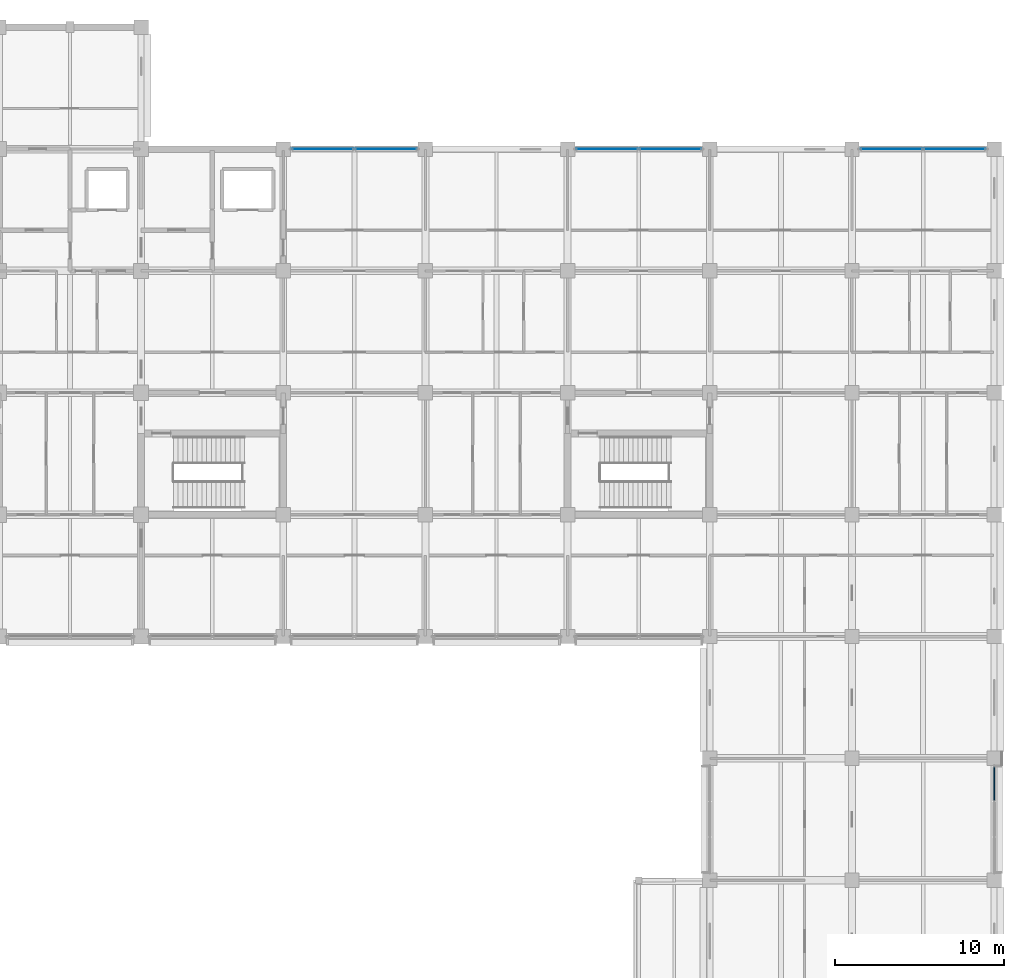
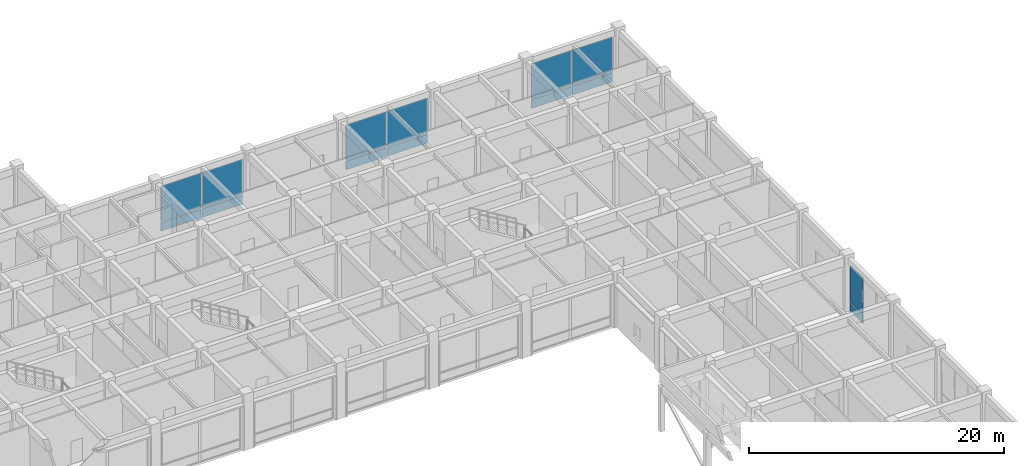
# One storey, part 33 of 68: 14 plates, 4 elements without a shape of their own.
"""IFC4 building model written with IfcOpenShell, lengths in metres."""

from ifc_helpers import new_model, si_unit, direction, frame, origin, origin_2d, place, context, subcontext, project, spatial, rectangle, extrude, material, layer, layer_set, type_object, element, aggregate, save


model = new_model("IFC4")

# Units and contexts
model_context = context("Model", 3, precision=1e-05, world=origin(), true_north=direction((0.0, 1.0)))
body_context = subcontext(model_context, "Body", "Model", "MODEL_VIEW")
ifc_project = project(units=[si_unit("LENGTHUNIT", "METRE"), si_unit("AREAUNIT", "SQUARE_METRE"), si_unit("VOLUMEUNIT", "CUBIC_METRE"), si_unit("PLANEANGLEUNIT", "RADIAN"), si_unit("MASSUNIT", "GRAM", prefix="KILO")], contexts=[model_context])

# Site, building, storey
site_placement = place(None, origin())
site = spatial("IfcSite", under=ifc_project, at=site_placement, CompositionType="ELEMENT")
building_placement = place(site_placement, origin())
building = spatial("IfcBuilding", under=site, at=building_placement, Name="Chengyuan Square Courthouse", CompositionType="ELEMENT")
storey_placement = place(building_placement, frame((0.0, 0.0, 5.39990234375)))
storey = spatial("IfcBuildingStorey", under=building, at=storey_placement, Name="L02", CompositionType="ELEMENT", Elevation=5.39990234375)

# Curtain wall, plates
ifc_material_1 = material(Name="Unitised Aluminium and Triple Low-E Glass", Category="aluminium")
ifc_layer_1 = layer(ifc_material_1, 0.219970703125)
ifc_layer_set_1 = layer_set([ifc_layer_1], Name="Unitised Aluminium and Triple Low-E Glass")
curtain_wall_type_1 = type_object("IfcCurtainWallType", Name="CW-04", PredefinedType="USERDEFINED", material=ifc_layer_set_1)
curtain_wall_1_placement = place(storey_placement, origin())
curtain_wall_1 = element("IfcCurtainWall", 1, at=curtain_wall_1_placement, inside=storey, type_object=curtain_wall_type_1, Name="Unitised Curtain Wall CW-L02-073", ObjectType="UNITISED CURTAIN WALL", PredefinedType="USERDEFINED")
ifc_material_2 = material(Name="Triple Low-E Insulating Glass", Category="glass")
ifc_layer_2 = layer(ifc_material_2, 0.052001953125)
ifc_layer_set_2 = layer_set([ifc_layer_2], Name="Triple Low-E Insulating Glass")
plate_type_1 = type_object("IfcPlateType", Name="CWP-04", PredefinedType="CURTAIN_PANEL", material=ifc_layer_set_2)
plate_1_placement = place(storey_placement, frame((128.33251953125, 108.0, 0.080078125), z_axis=(0.0, 0.0, 1.0), x_axis=(1.0, 0.0, 0.0)))
plate_1 = element("IfcPlate", 2, at=plate_1_placement, type_object=plate_type_1, Name="CW-04 panel 1.1", PredefinedType="CURTAIN_PANEL", context=body_context, shape_type="SweptSolid", body=[
    extrude(rectangle(XDim=3.655029296875, YDim=0.052001953125, at=origin_2d()), origin(), (0.0, 0.0, 1.0), 0.830078125),
])
plate_2_placement = place(storey_placement, frame((128.33251953125, 108.0, 0.990234375), z_axis=(0.0, 0.0, 1.0), x_axis=(1.0, 0.0, 0.0)))
plate_2 = element("IfcPlate", 3, at=plate_2_placement, type_object=plate_type_1, Name="CW-04 panel 1.2", PredefinedType="CURTAIN_PANEL", context=body_context, shape_type="SweptSolid", body=[
    extrude(rectangle(XDim=3.655029296875, YDim=0.052001953125, at=origin_2d()), origin(), (0.0, 0.0, 1.0), 3.39990234375),
])
plate_3_placement = place(storey_placement, frame((132.0673828125, 108.0, 0.080078125), z_axis=(0.0, 0.0, 1.0), x_axis=(1.0, 0.0, 0.0)))
plate_3 = element("IfcPlate", 4, at=plate_3_placement, type_object=plate_type_1, Name="CW-04 panel 2.1", PredefinedType="CURTAIN_PANEL", context=body_context, shape_type="SweptSolid", body=[
    extrude(rectangle(XDim=3.655029296875, YDim=0.052001953125, at=origin_2d()), origin(), (0.0, 0.0, 1.0), 0.830078125),
])
plate_4_placement = place(storey_placement, frame((132.0673828125, 108.0, 0.990234375), z_axis=(0.0, 0.0, 1.0), x_axis=(1.0, 0.0, 0.0)))
plate_4 = element("IfcPlate", 5, at=plate_4_placement, type_object=plate_type_1, Name="CW-04 panel 2.2", PredefinedType="CURTAIN_PANEL", context=body_context, shape_type="SweptSolid", body=[
    extrude(rectangle(XDim=3.655029296875, YDim=0.052001953125, at=origin_2d()), origin(), (0.0, 0.0, 1.0), 3.39990234375),
])
aggregate(curtain_wall_1, [plate_1, plate_2, plate_3, plate_4])

curtain_wall_2_placement = place(storey_placement, origin())
curtain_wall_2 = element("IfcCurtainWall", 6, at=curtain_wall_2_placement, inside=storey, type_object=curtain_wall_type_1, Name="Unitised Curtain Wall CW-L02-076", ObjectType="UNITISED CURTAIN WALL", PredefinedType="USERDEFINED")
plate_5_placement = place(storey_placement, frame((145.132568359375, 108.0, 0.080078125), z_axis=(0.0, 0.0, 1.0), x_axis=(1.0, 0.0, 0.0)))
plate_5 = element("IfcPlate", 7, at=plate_5_placement, type_object=plate_type_1, Name="CW-04 panel 1.1", PredefinedType="CURTAIN_PANEL", context=body_context, shape_type="SweptSolid", body=[
    extrude(rectangle(XDim=3.655029296875, YDim=0.052001953125, at=origin_2d()), origin(), (0.0, 0.0, 1.0), 0.830078125),
])
plate_6_placement = place(storey_placement, frame((145.132568359375, 108.0, 0.990234375), z_axis=(0.0, 0.0, 1.0), x_axis=(1.0, 0.0, 0.0)))
plate_6 = element("IfcPlate", 8, at=plate_6_placement, type_object=plate_type_1, Name="CW-04 panel 1.2", PredefinedType="CURTAIN_PANEL", context=body_context, shape_type="SweptSolid", body=[
    extrude(rectangle(XDim=3.655029296875, YDim=0.052001953125, at=origin_2d()), origin(), (0.0, 0.0, 1.0), 3.39990234375),
])
plate_7_placement = place(storey_placement, frame((148.867431640625, 108.0, 0.080078125), z_axis=(0.0, 0.0, 1.0), x_axis=(1.0, 0.0, 0.0)))
plate_7 = element("IfcPlate", 9, at=plate_7_placement, type_object=plate_type_1, Name="CW-04 panel 2.1", PredefinedType="CURTAIN_PANEL", context=body_context, shape_type="SweptSolid", body=[
    extrude(rectangle(XDim=3.655029296875, YDim=0.052001953125, at=origin_2d()), origin(), (0.0, 0.0, 1.0), 0.830078125),
])
plate_8_placement = place(storey_placement, frame((148.867431640625, 108.0, 0.990234375), z_axis=(0.0, 0.0, 1.0), x_axis=(1.0, 0.0, 0.0)))
plate_8 = element("IfcPlate", 10, at=plate_8_placement, type_object=plate_type_1, Name="CW-04 panel 2.2", PredefinedType="CURTAIN_PANEL", context=body_context, shape_type="SweptSolid", body=[
    extrude(rectangle(XDim=3.655029296875, YDim=0.052001953125, at=origin_2d()), origin(), (0.0, 0.0, 1.0), 3.39990234375),
])
aggregate(curtain_wall_2, [plate_5, plate_6, plate_7, plate_8])

curtain_wall_3_placement = place(storey_placement, origin())
curtain_wall_3 = element("IfcCurtainWall", 11, at=curtain_wall_3_placement, inside=storey, type_object=curtain_wall_type_1, Name="Unitised Curtain Wall CW-L02-088", ObjectType="UNITISED CURTAIN WALL", PredefinedType="USERDEFINED")
plate_9_placement = place(storey_placement, frame((161.9326171875, 108.0, 0.080078125), z_axis=(0.0, 0.0, 1.0), x_axis=(1.0, 0.0, 0.0)))
plate_9 = element("IfcPlate", 12, at=plate_9_placement, type_object=plate_type_1, Name="CW-04 panel 1.1", PredefinedType="CURTAIN_PANEL", context=body_context, shape_type="SweptSolid", body=[
    extrude(rectangle(XDim=3.655029296875, YDim=0.052001953125, at=origin_2d()), origin(), (0.0, 0.0, 1.0), 0.830078125),
])
plate_10_placement = place(storey_placement, frame((161.9326171875, 108.0, 0.990234375), z_axis=(0.0, 0.0, 1.0), x_axis=(1.0, 0.0, 0.0)))
plate_10 = element("IfcPlate", 13, at=plate_10_placement, type_object=plate_type_1, Name="CW-04 panel 1.2", PredefinedType="CURTAIN_PANEL", context=body_context, shape_type="SweptSolid", body=[
    extrude(rectangle(XDim=3.655029296875, YDim=0.052001953125, at=origin_2d()), origin(), (0.0, 0.0, 1.0), 3.39990234375),
])
plate_11_placement = place(storey_placement, frame((165.66748046875, 108.0, 0.080078125), z_axis=(0.0, 0.0, 1.0), x_axis=(1.0, 0.0, 0.0)))
plate_11 = element("IfcPlate", 14, at=plate_11_placement, type_object=plate_type_1, Name="CW-04 panel 2.1", PredefinedType="CURTAIN_PANEL", context=body_context, shape_type="SweptSolid", body=[
    extrude(rectangle(XDim=3.655029296875, YDim=0.052001953125, at=origin_2d()), origin(), (0.0, 0.0, 1.0), 0.830078125),
])
plate_12_placement = place(storey_placement, frame((165.66748046875, 108.0, 0.990234375), z_axis=(0.0, 0.0, 1.0), x_axis=(1.0, 0.0, 0.0)))
plate_12 = element("IfcPlate", 15, at=plate_12_placement, type_object=plate_type_1, Name="CW-04 panel 2.2", PredefinedType="CURTAIN_PANEL", context=body_context, shape_type="SweptSolid", body=[
    extrude(rectangle(XDim=3.655029296875, YDim=0.052001953125, at=origin_2d()), origin(), (0.0, 0.0, 1.0), 3.39990234375),
])
aggregate(curtain_wall_3, [plate_9, plate_10, plate_11, plate_12])

ifc_layer_3 = layer(ifc_material_1, 0.159912109375)
ifc_layer_set_3 = layer_set([ifc_layer_3], Name="Unitised Aluminium and Triple Low-E Glass")
curtain_wall_type_2 = type_object("IfcCurtainWallType", Name="CW-17", PredefinedType="USERDEFINED", material=ifc_layer_set_3)
curtain_wall_4_placement = place(storey_placement, origin())
curtain_wall_4 = element("IfcCurtainWall", 16, at=curtain_wall_4_placement, inside=storey, type_object=curtain_wall_type_2, Name="Unitised Curtain Wall CW-L02-087", ObjectType="UNITISED CURTAIN WALL", PredefinedType="USERDEFINED")
ifc_layer_4 = layer(ifc_material_2, 0.06201171875)
ifc_layer_set_4 = layer_set([ifc_layer_4], Name="Triple Low-E Insulating Glass")
plate_type_2 = type_object("IfcPlateType", Name="CWP-05", PredefinedType="CURTAIN_PANEL", material=ifc_layer_set_4)
plate_13_placement = place(storey_placement, frame((168.0, 70.501708984375, 0.06005859375), z_axis=(0.0, 0.0, 1.0), x_axis=(0.0, 1.0, 0.0)))
plate_13 = element("IfcPlate", 17, at=plate_13_placement, type_object=plate_type_2, Name="CW-17 panel 3.1", PredefinedType="CURTAIN_PANEL", context=body_context, shape_type="SweptSolid", body=[
    extrude(rectangle(XDim=2.026611328125, YDim=0.06201171875, at=origin_2d()), origin(), (0.0, 0.0, 1.0), 0.860107421875),
])
plate_14_placement = place(storey_placement, frame((168.0, 70.501708984375, 0.97998046875), z_axis=(0.0, 0.0, 1.0), x_axis=(0.0, 1.0, 0.0)))
plate_14 = element("IfcPlate", 18, at=plate_14_placement, type_object=plate_type_2, Name="CW-17 panel 3.2", PredefinedType="CURTAIN_PANEL", context=body_context, shape_type="SweptSolid", body=[
    extrude(rectangle(XDim=2.026611328125, YDim=0.06201171875, at=origin_2d()), origin(), (0.0, 0.0, 1.0), 3.429931640625),
])
aggregate(curtain_wall_4, [plate_13, plate_14])

save(model, "model.ifc")
